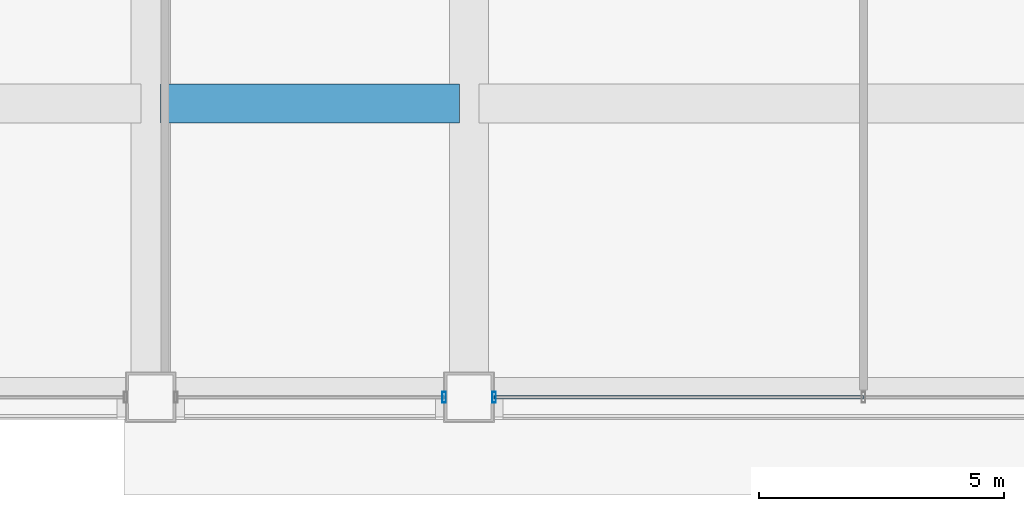
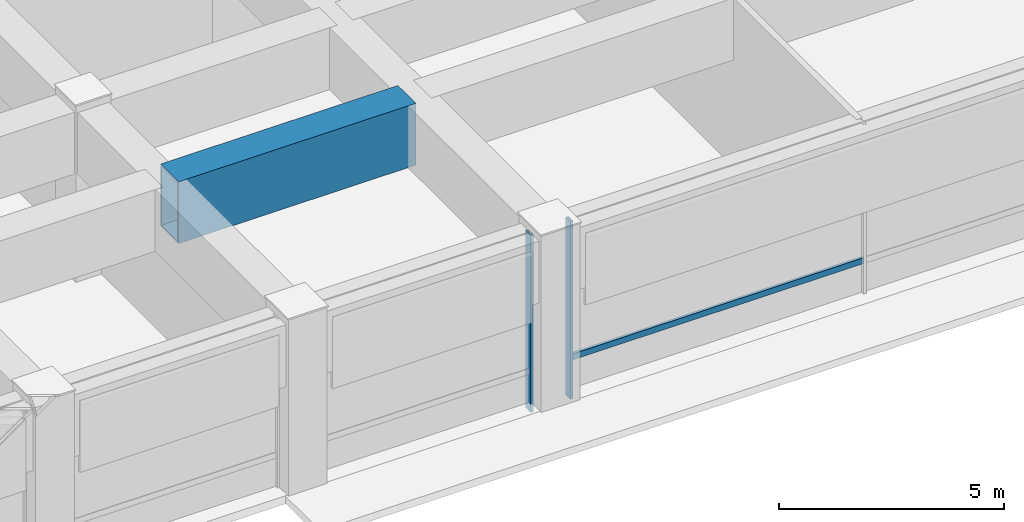
# One storey, part 4 of 30: 3 members, 1 beam, 2 elements without a shape of their own.
"""IFC4 building model written with IfcOpenShell, lengths in metres."""

from ifc_helpers import new_model, si_unit, direction, frame, origin, origin_2d, place, context, subcontext, project, spatial, hollow_rectangle, extrude, material, layer, layer_set, material_profile, profile_set, type_object, element, aggregate, save


model = new_model("IFC4")

# Units and contexts
model_context = context("Model", 3, precision=1e-05, world=origin(), true_north=direction((0.0, 1.0)))
body_context = subcontext(model_context, "Body", "Model", "MODEL_VIEW")
ifc_project = project(units=[si_unit("LENGTHUNIT", "METRE"), si_unit("AREAUNIT", "SQUARE_METRE"), si_unit("VOLUMEUNIT", "CUBIC_METRE"), si_unit("PLANEANGLEUNIT", "RADIAN"), si_unit("MASSUNIT", "GRAM", prefix="KILO")], contexts=[model_context])

# Site, building, storey
site_placement = place(None, origin())
site = spatial("IfcSite", under=ifc_project, at=site_placement, CompositionType="ELEMENT")
building_placement = place(site_placement, origin())
building = spatial("IfcBuilding", under=site, at=building_placement, Name="Brelmoor Portico Tower", CompositionType="ELEMENT")
storey_placement = place(building_placement, frame((0.0, 0.0, 19.199951171875)))
storey = spatial("IfcBuildingStorey", under=building, at=storey_placement, Name="L04", CompositionType="ELEMENT", Elevation=19.199951171875)

# Beam
ifc_material_1 = material(Name="Steel Q355B", Category="steel")
ifc_material_profile_1 = material_profile(ifc_material_1, hollow_rectangle(XDim=0.800048828125, YDim=1.679931640625, WallThickness=0.044921875, at=origin_2d()), Name="BOX 800x1680x45")
ifc_profile_set_1 = profile_set([ifc_material_profile_1], Name="Steel Q355B")
beam_type = type_object("IfcBeamType", Name="BM-TG-Z1", PredefinedType="BEAM", material=ifc_profile_set_1)
beam_placement = place(storey_placement, frame((-14.35009765625, -21.550048828125, 3.760009765625), z_axis=(1.0, 0.0, 0.0), x_axis=(0.0, 1.0, 0.0)))
element("IfcBeam", 1, at=beam_placement, inside=storey, type_object=beam_type, Name="L04 Setback Transfer Girder TGN-03", PredefinedType="BEAM", context=body_context, shape_type="SweptSolid", body=[
    extrude(hollow_rectangle(XDim=0.800048828125, YDim=1.679931640625, WallThickness=0.044921875, at=origin_2d()), origin(), (0.0, 0.0, 1.0), 6.10009765625),
])

# Curtain wall, member
ifc_material_2 = material(Name="Anodised Aluminium Alloy 6063-T6", Category="aluminium")
ifc_layer = layer(ifc_material_2, 0.179931640625)
ifc_layer_set = layer_set([ifc_layer], Name="Anodised Aluminium Alloy 6063-T6")
curtain_wall_type = type_object("IfcCurtainWallType", Name="CW-PODIUM-ARCH", PredefinedType="NOTDEFINED", material=ifc_layer_set)
curtain_wall_1_placement = place(storey_placement, origin())
curtain_wall_1 = element("IfcCurtainWall", 2, at=curtain_wall_1_placement, inside=storey, type_object=curtain_wall_type, Name="L04 Curtain Wall CW-L04-01-3", PredefinedType="NOTDEFINED")
ifc_material_profile_2 = material_profile(ifc_material_2, hollow_rectangle(XDim=0.074951171875, YDim=0.219970703125, WallThickness=0.0048828125, at=origin_2d()), Name="ALU MULLION 75x220")
ifc_profile_set_2 = profile_set([ifc_material_profile_2], Name="Anodised Aluminium Alloy 6063-T6")
member_type_1 = type_object("IfcMemberType", Name="MB-CW-MULL-220", PredefinedType="MULLION", material=ifc_profile_set_2)
member_1_placement = place(storey_placement, frame((-8.56005859375, -27.550048828125, -0.219970703125), z_axis=(0.0, 0.0, 1.0), x_axis=(1.0, 0.0, 0.0)))
member_1 = element("IfcMember", 3, at=member_1_placement, type_object=member_type_1, Name="CW-L04-01-3 Mullion 01", PredefinedType="MULLION", context=body_context, shape_type="SweptSolid", body=[
    extrude(hollow_rectangle(XDim=0.074951171875, YDim=0.219970703125, WallThickness=0.0048828125, at=origin_2d()), origin(), (0.0, 0.0, 1.0), 4.820068359375),
])
aggregate(curtain_wall_1, [member_1])

# Curtain wall, members
curtain_wall_2_placement = place(storey_placement, origin())
curtain_wall_2 = element("IfcCurtainWall", 4, at=curtain_wall_2_placement, inside=storey, type_object=curtain_wall_type, Name="L04 Curtain Wall CW-L04-01-4", PredefinedType="NOTDEFINED")
member_2_placement = place(storey_placement, frame((-7.5400390625, -27.550048828125, -0.219970703125), z_axis=(0.0, 0.0, 1.0), x_axis=(1.0, 0.0, 0.0)))
member_2 = element("IfcMember", 5, at=member_2_placement, type_object=member_type_1, Name="CW-L04-01-4 Mullion 00", PredefinedType="MULLION", context=body_context, shape_type="SweptSolid", body=[
    extrude(hollow_rectangle(XDim=0.074951171875, YDim=0.219970703125, WallThickness=0.0048828125, at=origin_2d()), origin(), (0.0, 0.0, 1.0), 4.820068359375),
])
ifc_material_profile_3 = material_profile(ifc_material_2, hollow_rectangle(XDim=0.070068359375, YDim=0.159912109375, WallThickness=0.00390625, at=origin_2d()), Name="ALU TRANSOM 70x160")
ifc_profile_set_3 = profile_set([ifc_material_profile_3], Name="Anodised Aluminium Alloy 6063-T6")
member_type_2 = type_object("IfcMemberType", Name="MB-CW-TRAN-160", PredefinedType="USERDEFINED", material=ifc_profile_set_3)
member_3_placement = place(storey_placement, frame((-7.5400390625, -27.550048828125, 0.85009765625), z_axis=(1.0, 0.0, 0.0), x_axis=(0.0, 1.0, 0.0)))
member_3 = element("IfcMember", 6, at=member_3_placement, type_object=member_type_2, Name="CW-L04-01-4 Transom 1-00", ObjectType="TRANSOM", PredefinedType="USERDEFINED", context=body_context, shape_type="SweptSolid", body=[
    extrude(hollow_rectangle(XDim=0.070068359375, YDim=0.159912109375, WallThickness=0.00390625, at=origin_2d()), origin(), (0.0, 0.0, 1.0), 7.5400390625),
])
aggregate(curtain_wall_2, [member_2, member_3])

save(model, "model.ifc")
